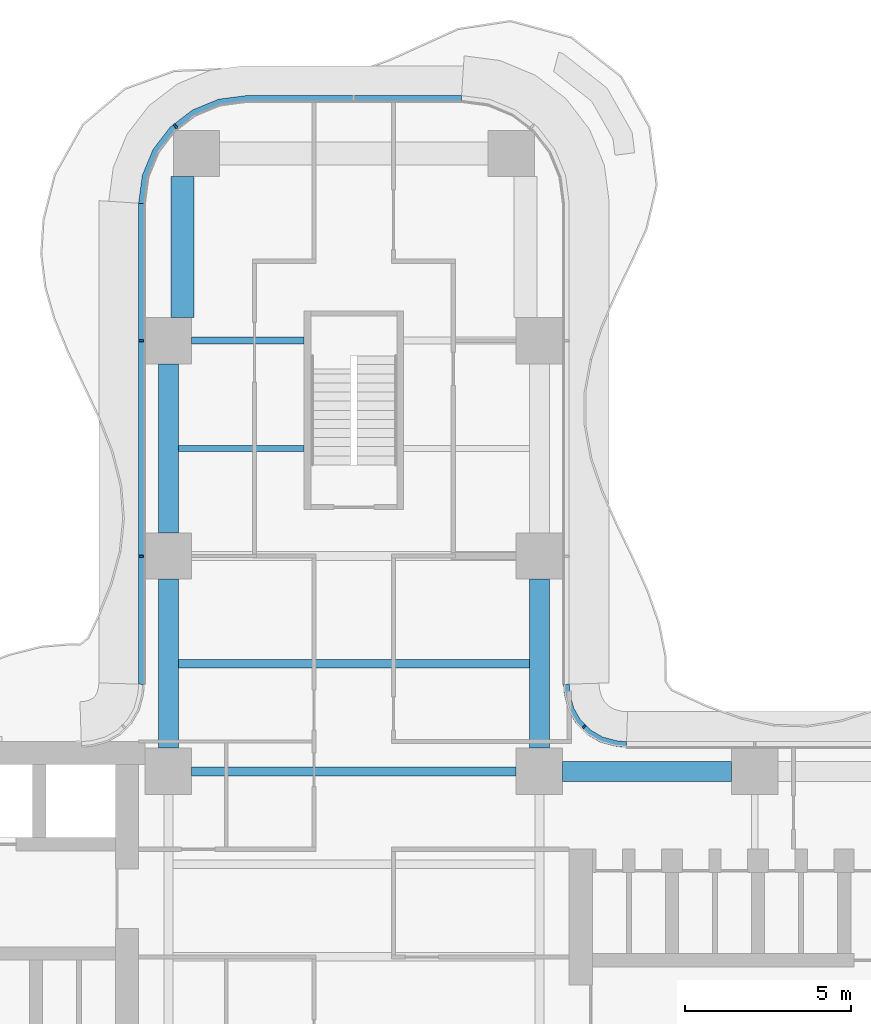
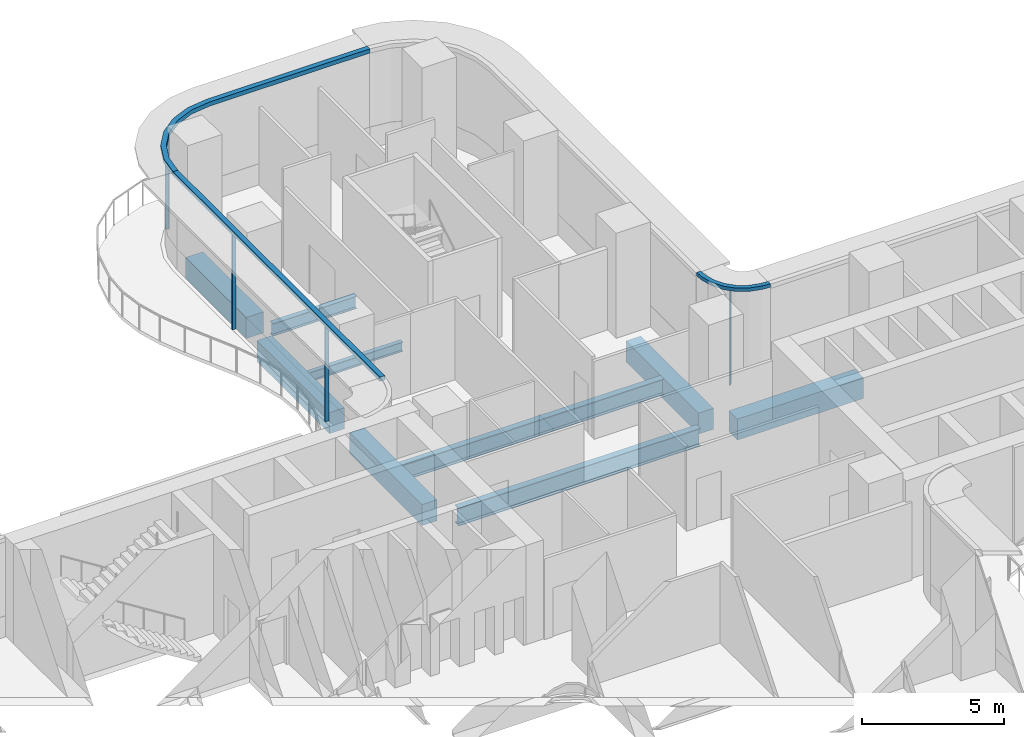
# One storey, part 9 of 22: 9 beams, 7 members, 3 elements without a shape of their own.
"""IFC4 building model written with IfcOpenShell, lengths in metres."""

from ifc_helpers import new_model, si_unit, direction, frame, origin, origin_2d, place, context, subcontext, project, spatial, polyline, rectangle, i_section, outline, extrude, source, transform, mapped, material, layer, layer_set, material_profile, profile_set, type_object, element, aggregate, save


model = new_model("IFC4")

# Units and contexts
model_context = context("Model", 3, precision=1e-05, world=origin(), true_north=direction((0.0, 1.0)))
body_context = subcontext(model_context, "Body", "Model", "MODEL_VIEW")
ifc_project = project(units=[si_unit("LENGTHUNIT", "METRE"), si_unit("AREAUNIT", "SQUARE_METRE"), si_unit("VOLUMEUNIT", "CUBIC_METRE"), si_unit("PLANEANGLEUNIT", "RADIAN"), si_unit("MASSUNIT", "GRAM", prefix="KILO")], contexts=[model_context])

# Site, building, storey
site_placement = place(None, origin())
site = spatial("IfcSite", under=ifc_project, at=site_placement, CompositionType="ELEMENT")
building_placement = place(site_placement, origin())
building = spatial("IfcBuilding", under=site, at=building_placement, Name="Trellis Farm Tower", CompositionType="ELEMENT")
storey_placement = place(building_placement, frame((0.0, 0.0, 79.0)))
storey = spatial("IfcBuildingStorey", under=building, at=storey_placement, Name="L16", CompositionType="ELEMENT", Elevation=79.0)

# Beams
ifc_material_1 = material(Name="Steel S355", Category="steel")
ifc_material_profile_1 = material_profile(ifc_material_1, i_section(OverallWidth=0.209228515625, OverallDepth=0.533203125, WebThickness=0.010009765625, FlangeThickness=0.015625, FilletRadius=0.0126953125, at=origin_2d()), Name="UB 533x210x92")
ifc_profile_set_1 = profile_set([ifc_material_profile_1], Name="Steel S355")
beam_type_1 = type_object("IfcBeamType", Name="UB 533x210x92", PredefinedType="BEAM", material=ifc_profile_set_1)
shared_shape_1 = source(origin(), body_context, "Body", "SweptSolid", [
    extrude(i_section(OverallWidth=0.209228515625, OverallDepth=0.533203125, WebThickness=0.010009765625, FlangeThickness=0.015625, FilletRadius=0.0126953125, at=origin_2d()), origin(), (0.0, 0.0, 1.0), 3.39990234375),
])
beam_1_placement = place(storey_placement, frame((-4.89990234375, 18.60009765625, -0.5166015625), z_axis=(1.0, 0.0, 0.0), x_axis=(0.0, 1.0, 0.0)))
element("IfcBeam", 1, at=beam_1_placement, inside=storey, type_object=beam_type_1, Name="Girder", PredefinedType="BEAM", context=body_context, shape_type="MappedRepresentation", body=[
    mapped(shared_shape_1, transform((0.0, 0.0, 0.0))),
])
ifc_material_2 = material(Name="Concrete C60/75", Category="concrete")
ifc_material_profile_2 = material_profile(ifc_material_2, rectangle(XDim=0.60009765625, YDim=0.89990234375, at=origin_2d()), Name="RC spandrel beam 600x900 C60/75")
ifc_profile_set_2 = profile_set([ifc_material_profile_2], Name="Concrete C60/75")
beam_type_2 = type_object("IfcBeamType", Name="RC spandrel beam 600x900 C60/75", PredefinedType="SPANDREL", material=ifc_profile_set_2)
shared_shape_2 = source(origin(), body_context, "Body", "SweptSolid", [
    extrude(rectangle(XDim=0.60009765625, YDim=0.89990234375, at=origin_2d()), origin(), (0.0, 0.0, 1.0), 5.099853515625),
])
for number, where, z_axis, x_axis, name in (
    (2, (6.300048828125, 5.60009765625, -0.699951171875), (1.0, 0.0, 0.0), (0.0, 1.0, 0.0), "Girder"),
    (3, (-5.60009765625, 6.300048828125, -0.699951171875), (0.0, 1.0, 0.0), (-1.0, 0.0, 0.0), "Girder"),
    (4, (-5.60009765625, 12.800048828125, -0.699951171875), (0.0, 1.0, 0.0), (-1.0, 0.0, 0.0), "Girder"),
    (5, (5.60009765625, 6.300048828125, -0.699951171875), (0.0, 1.0, 0.0), (-1.0, 0.0, 0.0), "Girder"),
):
    element("IfcBeam", number, at=place(storey_placement, frame(where, z_axis=z_axis, x_axis=x_axis)), inside=storey, type_object=beam_type_2, Name=name, PredefinedType="SPANDREL", context=body_context, shape_type="MappedRepresentation", body=[
        mapped(shared_shape_2, transform((0.0, 0.0, 0.0))),
    ])
ifc_material_profile_3 = material_profile(ifc_material_1, i_section(OverallWidth=0.2666015625, OverallDepth=0.76220703125, WebThickness=0.014404296875, FlangeThickness=0.021484375, FilletRadius=0.0166015625, at=origin_2d()), Name="UB 762x267x173")
ifc_profile_set_3 = profile_set([ifc_material_profile_3], Name="Steel S355")
beam_type_3 = type_object("IfcBeamType", Name="UB 762x267x173", PredefinedType="BEAM", material=ifc_profile_set_3)
shared_shape_3 = source(origin(), body_context, "Body", "SweptSolid", [
    extrude(i_section(OverallWidth=0.2666015625, OverallDepth=0.76220703125, WebThickness=0.014404296875, FlangeThickness=0.021484375, FilletRadius=0.0166015625, at=origin_2d()), origin(), (0.0, 0.0, 1.0), 9.7998046875),
])
beam_2_placement = place(storey_placement, frame((-4.89990234375, 5.60009765625, -0.631103515625), z_axis=(1.0, 0.0, 0.0), x_axis=(0.0, 1.0, 0.0)))
element("IfcBeam", 6, at=beam_2_placement, inside=storey, type_object=beam_type_3, Name="Girder", PredefinedType="BEAM", context=body_context, shape_type="MappedRepresentation", body=[
    mapped(shared_shape_3, transform((0.0, 0.0, 0.0))),
])
ifc_material_profile_4 = material_profile(ifc_material_2, rectangle(XDim=0.699951171875, YDim=0.89990234375, at=origin_2d()), Name="RC spandrel beam 700x900 C60/75")
ifc_profile_set_4 = profile_set([ifc_material_profile_4], Name="Concrete C60/75")
beam_type_4 = type_object("IfcBeamType", Name="RC spandrel beam 700x900 C60/75", PredefinedType="SPANDREL", material=ifc_profile_set_4)
shared_shape_4 = source(origin(), body_context, "Body", "SweptSolid", [
    extrude(rectangle(XDim=0.699951171875, YDim=0.89990234375, at=origin_2d()), origin(), (0.0, 0.0, 1.0), 4.25),
])
beam_3_placement = place(storey_placement, frame((-5.175048828125, 19.300048828125, -0.699951171875), z_axis=(0.0, 1.0, 0.0), x_axis=(-1.0, 0.0, 0.0)))
element("IfcBeam", 7, at=beam_3_placement, inside=storey, type_object=beam_type_4, Name="Girder", PredefinedType="SPANDREL", context=body_context, shape_type="MappedRepresentation", body=[
    mapped(shared_shape_4, transform((0.0, 0.0, 0.0))),
])
ifc_material_profile_5 = material_profile(ifc_material_1, i_section(OverallWidth=0.177978515625, OverallDepth=0.406494140625, WebThickness=0.0078125, FlangeThickness=0.0126953125, FilletRadius=0.01025390625, at=origin_2d()), Name="UB 406x178x60")
ifc_profile_set_5 = profile_set([ifc_material_profile_5], Name="Steel S355")
beam_type_5 = type_object("IfcBeamType", Name="UB 406x178x60 joist", PredefinedType="JOIST", material=ifc_profile_set_5)
shared_shape_5 = source(origin(), body_context, "Body", "SweptSolid", [
    extrude(i_section(OverallWidth=0.177978515625, OverallDepth=0.406494140625, WebThickness=0.0078125, FlangeThickness=0.0126953125, FilletRadius=0.01025390625, at=origin_2d()), origin(), (0.0, 0.0, 1.0), 3.800048828125),
])
beam_4_placement = place(storey_placement, frame((-5.300048828125, 15.35009765625, -0.453125), z_axis=(1.0, 0.0, 0.0), x_axis=(0.0, 1.0, 0.0)))
element("IfcBeam", 8, at=beam_4_placement, inside=storey, type_object=beam_type_5, Name="Floor beam", PredefinedType="JOIST", context=body_context, shape_type="MappedRepresentation", body=[
    mapped(shared_shape_5, transform((0.0, 0.0, 0.0))),
])
ifc_material_profile_6 = material_profile(ifc_material_1, i_section(OverallWidth=0.253662109375, OverallDepth=0.68359375, WebThickness=0.012451171875, FlangeThickness=0.021728515625, FilletRadius=0.01513671875, at=origin_2d()), Name="UB 686x254x140")
ifc_profile_set_6 = profile_set([ifc_material_profile_6], Name="Steel S355")
beam_type_6 = type_object("IfcBeamType", Name="UB 686x254x140 joist", PredefinedType="JOIST", material=ifc_profile_set_6)
shared_shape_6 = source(origin(), body_context, "Body", "SweptSolid", [
    extrude(i_section(OverallWidth=0.253662109375, OverallDepth=0.68359375, WebThickness=0.012451171875, FlangeThickness=0.021728515625, FilletRadius=0.01513671875, at=origin_2d()), origin(), (0.0, 0.0, 1.0), 10.60009765625),
])
beam_5_placement = place(storey_placement, frame((-5.300048828125, 8.85009765625, -0.591796875), z_axis=(1.0, 0.0, 0.0), x_axis=(0.0, 1.0, 0.0)))
element("IfcBeam", 9, at=beam_5_placement, inside=storey, type_object=beam_type_6, Name="Floor beam", PredefinedType="JOIST", context=body_context, shape_type="MappedRepresentation", body=[
    mapped(shared_shape_6, transform((0.0, 0.0, 0.0))),
])

# Curtain wall, member
ifc_material_3 = material(Name="Aluminium and glass curtain wall", Category="aluminium")
ifc_layer_1 = layer(ifc_material_3, 0.18994140625)
ifc_layer_set_1 = layer_set([ifc_layer_1], Name="RIBBON CURTAIN WALL CW1")
curtain_wall_type_1 = type_object("IfcCurtainWallType", Name="RIBBON CURTAIN WALL CW1", PredefinedType="NOTDEFINED", material=ifc_layer_set_1)
placement_1 = place(storey_placement, origin())
curtain_wall_1 = element("IfcCurtainWall", 10, at=placement_1, inside=storey, type_object=curtain_wall_type_1, Name="CW1 010", PredefinedType="NOTDEFINED")
ifc_material_4 = material(Name="Aluminium extrusion 6063-T6", Category="aluminium")
ifc_material_profile_7 = material_profile(ifc_material_4, rectangle(XDim=0.06005859375, YDim=0.14990234375, at=origin_2d()), Name="MULLION 60x150")
ifc_profile_set_7 = profile_set([ifc_material_profile_7], Name="Aluminium extrusion 6063-T6")
member_type_1 = type_object("IfcMemberType", Name="CW1 MULLION 60x150", PredefinedType="MULLION", material=ifc_profile_set_7)
shared_shape_7 = source(origin(), body_context, "Body", "SweptSolid", [
    extrude(rectangle(XDim=0.06005859375, YDim=0.14990234375, at=origin_2d()), origin(), (0.0, 0.0, 1.0), 4.070068359375),
])
member_1_placement = place(storey_placement, frame((-5.385498046875, 25.078369140625, 0.0), z_axis=(0.0, 0.0, 1.0), x_axis=(-0.793353340291, -0.608761429009, 0.0)))
member_1 = element("IfcMember", 11, at=member_1_placement, type_object=member_type_1, Name="MU1 010-02", PredefinedType="MULLION", context=body_context, shape_type="MappedRepresentation", body=[
    mapped(shared_shape_7, transform((0.0, 0.0, 0.0))),
])

# Curtain wall, members
curtain_wall_2 = element("IfcCurtainWall", 12, at=placement_1, inside=storey, type_object=curtain_wall_type_1, Name="CW1 011", PredefinedType="NOTDEFINED")
member_2_placement = place(storey_placement, frame((-6.425048828125, 18.60009765625, 0.0), z_axis=(0.0, 0.0, 1.0), x_axis=(0.0, -1.0, 0.0)))
member_2 = element("IfcMember", 13, at=member_2_placement, type_object=member_type_1, Name="MU1 011-01", PredefinedType="MULLION", context=body_context, shape_type="MappedRepresentation", body=[
    mapped(shared_shape_7, transform((0.0, 0.0, 0.0))),
])
member_3_placement = place(storey_placement, frame((-6.425048828125, 12.10009765625, 0.0), z_axis=(0.0, 0.0, 1.0), x_axis=(0.0, -1.0, 0.0)))
member_3 = element("IfcMember", 14, at=member_3_placement, type_object=member_type_1, Name="MU1 011-02", PredefinedType="MULLION", context=body_context, shape_type="MappedRepresentation", body=[
    mapped(shared_shape_7, transform((0.0, 0.0, 0.0))),
])

ifc_layer_2 = layer(ifc_material_3, 0.166015625)
ifc_layer_set_2 = layer_set([ifc_layer_2], Name="WINTER GARDEN CURTAIN WALL CW3")
curtain_wall_type_2 = type_object("IfcCurtainWallType", Name="WINTER GARDEN CURTAIN WALL CW3", PredefinedType="NOTDEFINED", material=ifc_layer_set_2)
curtain_wall_3 = element("IfcCurtainWall", 15, at=placement_1, inside=storey, type_object=curtain_wall_type_2, Name="CW3 003", PredefinedType="NOTDEFINED")
ifc_material_profile_8 = material_profile(ifc_material_4, rectangle(XDim=0.050048828125, YDim=0.1201171875, at=origin_2d()), Name="MULLION 50x120")
ifc_profile_set_8 = profile_set([ifc_material_profile_8], Name="Aluminium extrusion 6063-T6")
member_type_2 = type_object("IfcMemberType", Name="CW3 MULLION 50x120", PredefinedType="MULLION", material=ifc_profile_set_8)
shared_shape_8 = source(origin(), body_context, "Body", "SweptSolid", [
    extrude(rectangle(XDim=0.050048828125, YDim=0.1201171875, at=origin_2d()), origin(), (0.0, 0.0, 1.0), 4.10009765625),
])
member_4_placement = place(storey_placement, frame((6.953125, 6.953125, 0.0), z_axis=(0.0, 0.0, 1.0), x_axis=(-0.707106781187, 0.707106781187, 0.0)))
member_4 = element("IfcMember", 16, at=member_4_placement, type_object=member_type_2, Name="MU3 003-01", PredefinedType="MULLION", context=body_context, shape_type="MappedRepresentation", body=[
    mapped(shared_shape_8, transform((0.0, 0.0, 0.0))),
])
ifc_layer_3 = layer(ifc_material_4, 0.169921875)
ifc_layer_set_3 = layer_set([ifc_layer_3], Name="Aluminium extrusion 6063-T6")
member_type_3 = type_object("IfcMemberType", Name="CW3 TRANSOM 170x150", PredefinedType="USERDEFINED", material=ifc_layer_set_3)
shared_shape_9 = source(origin(), body_context, "Body", "SweptSolid", [
    extrude(outline(polyline([(8.2314453125, 6.5), (8.01953125, 6.513916015625), (7.91552734375, 6.527587890625), (7.508544921875, 6.63671875), (7.144287109375, 6.846923828125), (6.846923828125, 7.144287109375), (6.63671875, 7.508544921875), (6.527587890625, 7.91552734375), (6.513916015625, 8.01953125), (6.5, 8.2314453125), (6.330078125, 8.225830078125), (6.3447265625, 8.0029296875), (6.360595703125, 7.88232421875), (6.478271484375, 7.44287109375), (6.7109375, 7.0400390625), (7.0400390625, 6.7109375), (7.44287109375, 6.478271484375), (7.88232421875, 6.360595703125), (8.0029296875, 6.3447265625), (8.225830078125, 6.330078125), (8.2314453125, 6.5)])), origin(), (0.0, 0.0, 1.0), 0.14990234375),
])
member_5_placement = place(storey_placement, frame((0.0, 0.0, 4.10009765625)))
member_5 = element("IfcMember", 17, at=member_5_placement, type_object=member_type_3, Name="TR3 003", ObjectType="TRANSOM", PredefinedType="USERDEFINED", context=body_context, shape_type="MappedRepresentation", body=[
    mapped(shared_shape_9, transform((0.0, 0.0, 0.0))),
])
aggregate(curtain_wall_3, [member_4, member_5])

# Member
ifc_layer_4 = layer(ifc_material_4, 0.199951171875)
ifc_layer_set_4 = layer_set([ifc_layer_4], Name="Aluminium extrusion 6063-T6")
member_type_4 = type_object("IfcMemberType", Name="CW1 TRANSOM 200x180", PredefinedType="USERDEFINED", material=ifc_layer_set_4)
shared_shape_10 = source(origin(), body_context, "Body", "SweptSolid", [
    extrude(outline(polyline([(-6.5, 22.75), (-6.5, 8.2314453125), (-6.300048828125, 8.224853515625), (-6.300048828125, 22.73681640625), (-6.5, 22.75)])), origin(), (0.0, 0.0, 1.0), 0.179931640625),
])
placement_2 = place(storey_placement, frame((0.0, 0.0, 4.070068359375)))
member_6 = element("IfcMember", 18, at=placement_2, type_object=member_type_4, Name="TR1 011", ObjectType="TRANSOM", PredefinedType="USERDEFINED", context=body_context, shape_type="MappedRepresentation", body=[
    mapped(shared_shape_10, transform((0.0, 0.0, 0.0))),
])

aggregate(curtain_wall_2, [member_2, member_3, member_6])

shared_shape_11 = source(origin(), body_context, "Body", "SweptSolid", [
    extrude(outline(polyline([(3.25, 26.0), (-3.25, 26.0), (-4.091064453125, 25.88916015625), (-4.875, 25.564697265625), (-5.548095703125, 25.048095703125), (-6.064697265625, 24.375), (-6.38916015625, 23.591064453125), (-6.5, 22.75), (-6.300048828125, 22.73681640625), (-6.1943359375, 23.5390625), (-5.889892578125, 24.274169921875), (-5.405517578125, 24.905517578125), (-4.774169921875, 25.389892578125), (-4.0390625, 25.6943359375), (-3.23681640625, 25.800048828125), (3.23681640625, 25.800048828125), (3.25, 26.0)])), origin(), (0.0, 0.0, 1.0), 0.179931640625),
])
member_7 = element("IfcMember", 19, at=placement_2, type_object=member_type_4, Name="TR1 010", ObjectType="TRANSOM", PredefinedType="USERDEFINED", context=body_context, shape_type="MappedRepresentation", body=[
    mapped(shared_shape_11, transform((0.0, 0.0, 0.0))),
])

aggregate(curtain_wall_1, [member_1, member_7])

save(model, "model.ifc")
